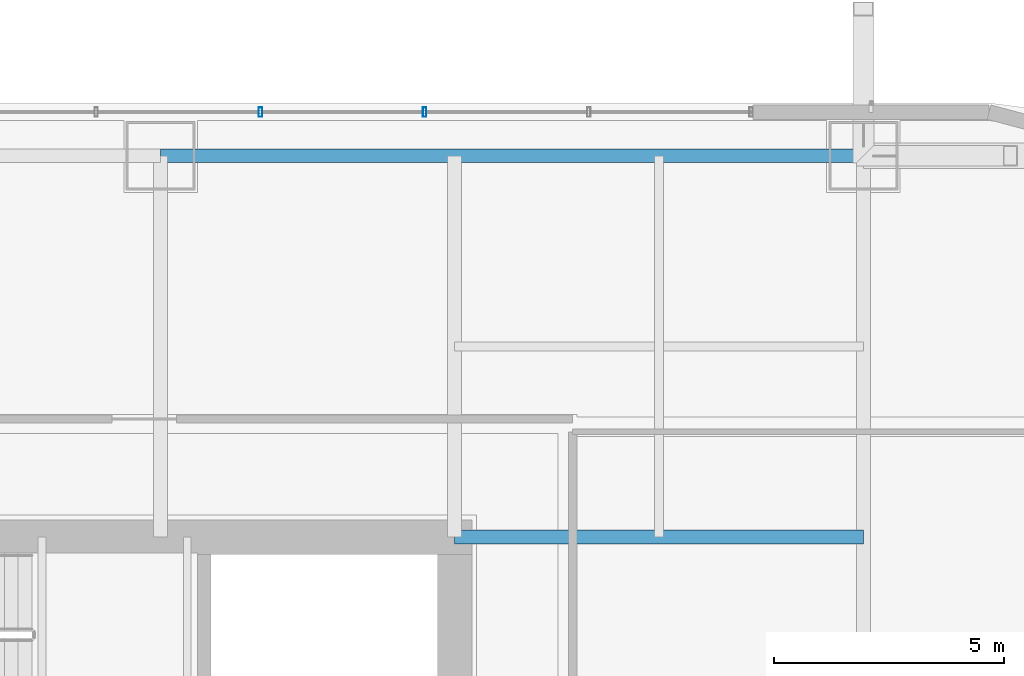
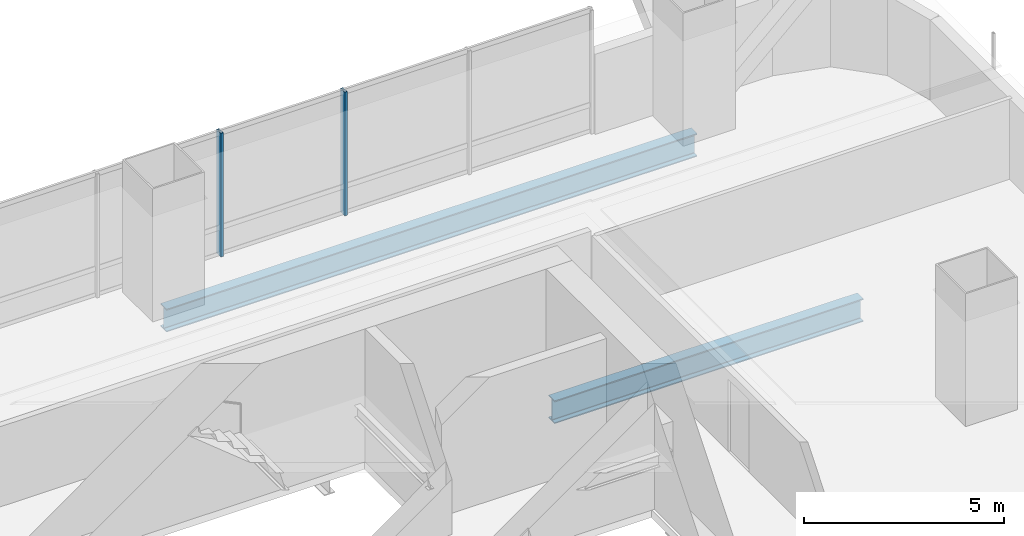
# One storey, part 22 of 42: 2 beams, 2 members, 1 element without a shape of its own.
"""IFC4 building model written with IfcOpenShell, lengths in metres."""

from ifc_helpers import new_model, si_unit, direction, frame, origin, origin_2d, place, context, subcontext, project, spatial, hollow_rectangle, i_section, extrude, material, material_profile, profile_set, type_object, element, aggregate, save


model = new_model("IFC4")

# Units and contexts
model_context = context("Model", 3, precision=1e-05, world=origin(), true_north=direction((0.0, 1.0)))
body_context = subcontext(model_context, "Body", "Model", "MODEL_VIEW")
ifc_project = project(units=[si_unit("LENGTHUNIT", "METRE"), si_unit("AREAUNIT", "SQUARE_METRE"), si_unit("VOLUMEUNIT", "CUBIC_METRE"), si_unit("PLANEANGLEUNIT", "RADIAN"), si_unit("MASSUNIT", "GRAM", prefix="KILO")], contexts=[model_context])

# Site, building, storey
site_placement = place(None, origin())
site = spatial("IfcSite", under=ifc_project, at=site_placement, CompositionType="ELEMENT")
building_placement = place(site_placement, origin())
building = spatial("IfcBuilding", under=site, at=building_placement, Name="Punatoya Terracotta Tower", CompositionType="ELEMENT")
storey_placement = place(building_placement, frame((0.0, 0.0, 88.949951171875)))
storey = spatial("IfcBuildingStorey", under=building, at=storey_placement, Name="L20", CompositionType="ELEMENT", Elevation=88.949951171875)

# Beams
ifc_material_1 = material(Name="Steel S355", Category="steel")
ifc_material_profile_1 = material_profile(ifc_material_1, i_section(OverallWidth=0.300048828125, OverallDepth=0.699951171875, WebThickness=0.01708984375, FlangeThickness=0.031982421875, FilletRadius=0.01806640625, at=origin_2d()))
ifc_profile_set_1 = profile_set([ifc_material_profile_1], Name="Steel S355")
beam_type = type_object("IfcBeamType", Name="BM-PRI-700", PredefinedType="BEAM", material=ifc_profile_set_1)
beam_1_placement = place(storey_placement, frame((3.800048828125, 17.5, -0.58984375), z_axis=(1.0, 0.0, 0.0), x_axis=(0.0, 1.0, 0.0)))
element("IfcBeam", 1, at=beam_1_placement, inside=storey, type_object=beam_type, Name="BM-L20-RG-N3", PredefinedType="BEAM", context=body_context, shape_type="SweptSolid", body=[
    extrude(i_section(OverallWidth=0.300048828125, OverallDepth=0.699951171875, WebThickness=0.01708984375, FlangeThickness=0.031982421875, FilletRadius=0.01806640625, at=origin_2d()), origin(), (0.0, 0.0, 1.0), 15.300048828125),
])
beam_2_placement = place(storey_placement, frame((10.199951171875, 9.199951171875, -0.58984375), z_axis=(1.0, 0.0, 0.0), x_axis=(0.0, 1.0, 0.0)))
element("IfcBeam", 2, at=beam_2_placement, inside=storey, type_object=beam_type, Name="BM-L20-PR-EN", PredefinedType="BEAM", context=body_context, shape_type="SweptSolid", body=[
    extrude(i_section(OverallWidth=0.300048828125, OverallDepth=0.699951171875, WebThickness=0.01708984375, FlangeThickness=0.031982421875, FilletRadius=0.01806640625, at=origin_2d()), origin(), (0.0, 0.0, 1.0), 8.900146484375),
])

# Curtain wall, members
ifc_material_2 = material(Name="Aluminium 6063-T6 + Double Low-E Glass", Category="aluminium")
curtain_wall_type = type_object("IfcCurtainWallType", Name="CW-M1", PredefinedType="NOTDEFINED", material=ifc_material_2)
curtain_wall_placement = place(storey_placement, origin())
curtain_wall = element("IfcCurtainWall", 3, at=curtain_wall_placement, inside=storey, type_object=curtain_wall_type, Name="L20 Curtain Wall CW-L20-N09-1", PredefinedType="NOTDEFINED")
ifc_material_3 = material(Name="Aluminium 6063-T6", Category="aluminium")
ifc_material_profile_2 = material_profile(ifc_material_3, hollow_rectangle(XDim=0.074951171875, YDim=0.2099609375, WallThickness=0.00439453125, at=origin_2d()))
ifc_profile_set_2 = profile_set([ifc_material_profile_2], Name="Aluminium 6063-T6")
member_type = type_object("IfcMemberType", Name="CW-MUL-M1", PredefinedType="MULLION", material=ifc_profile_set_2)
member_1_placement = place(storey_placement, frame((9.550048828125, 18.449951171875, 0.0), z_axis=(0.0, 0.0, 1.0), x_axis=(1.0, 0.0, 0.0)))
member_1 = element("IfcMember", 4, at=member_1_placement, type_object=member_type, Name="CW-L20-N09-1 Mullion 02", PredefinedType="MULLION", context=body_context, shape_type="SweptSolid", body=[
    extrude(hollow_rectangle(XDim=0.074951171875, YDim=0.2099609375, WallThickness=0.00439453125, at=origin_2d()), origin(), (0.0, 0.0, 1.0), 3.77001953125),
])
member_2_placement = place(storey_placement, frame((5.97509765625, 18.449951171875, 0.0), z_axis=(0.0, 0.0, 1.0), x_axis=(1.0, 0.0, 0.0)))
member_2 = element("IfcMember", 5, at=member_2_placement, type_object=member_type, Name="CW-L20-N09-1 Mullion 03", PredefinedType="MULLION", context=body_context, shape_type="SweptSolid", body=[
    extrude(hollow_rectangle(XDim=0.074951171875, YDim=0.2099609375, WallThickness=0.00439453125, at=origin_2d()), origin(), (0.0, 0.0, 1.0), 3.77001953125),
])
aggregate(curtain_wall, [member_1, member_2])

save(model, "model.ifc")
